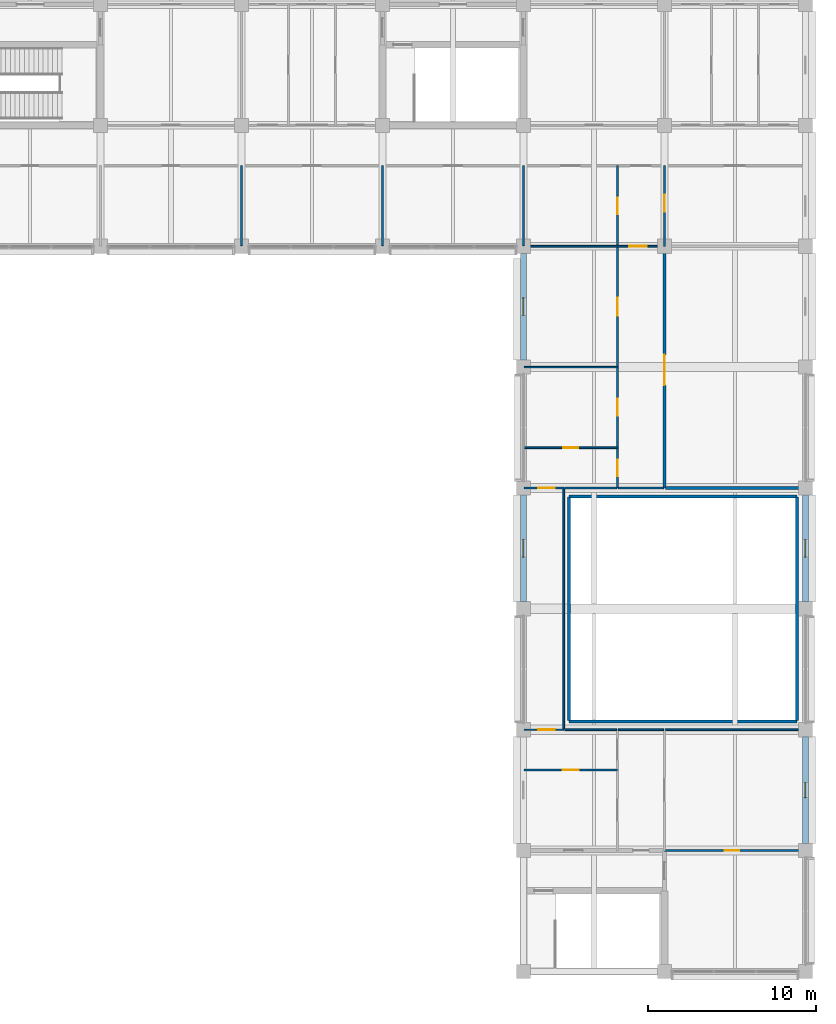
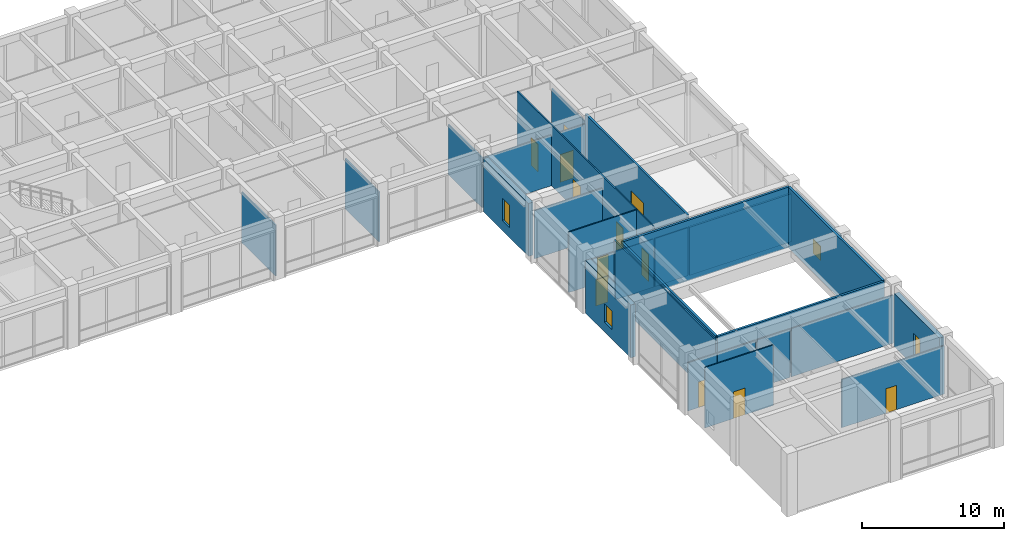
# One storey, part 46 of 58: 28 walls, 12 doors, 4 windows, 16 openings.
"""IFC4 building model written with IfcOpenShell, lengths in metres."""

from ifc_helpers import new_model, si_unit, direction, frame, frame_2d, origin, place, context, subcontext, project, spatial, rectangle, extrude, material, layer, layer_set, type_object, element, fill, save


model = new_model("IFC4")

# Units and contexts
model_context = context("Model", 3, precision=1e-05, world=origin(), true_north=direction((0.0, 1.0)))
body_context = subcontext(model_context, "Body", "Model", "MODEL_VIEW")
ifc_project = project(units=[si_unit("LENGTHUNIT", "METRE"), si_unit("AREAUNIT", "SQUARE_METRE"), si_unit("VOLUMEUNIT", "CUBIC_METRE"), si_unit("PLANEANGLEUNIT", "RADIAN"), si_unit("MASSUNIT", "GRAM", prefix="KILO")], contexts=[model_context])

# Site, building, storey
site_placement = place(None, origin())
site = spatial("IfcSite", under=ifc_project, at=site_placement, CompositionType="ELEMENT")
building_placement = place(site_placement, origin())
building = spatial("IfcBuilding", under=site, at=building_placement, Name="Chengyuan Square Courthouse", CompositionType="ELEMENT")
storey_placement = place(building_placement, frame((0.0, 0.0, 16.199951171875)))
storey = spatial("IfcBuildingStorey", under=building, at=storey_placement, Name="L04", CompositionType="ELEMENT", Elevation=16.199951171875)

# Wall, opening, window
ifc_material_1 = material(Name="Concrete C40", Category="concrete")
ifc_layer_1 = layer(ifc_material_1, 0.3798828125)
ifc_layer_set_1 = layer_set([ifc_layer_1], Name="Concrete C40")
wall_type_1 = type_object("IfcWallType", Name="WL-EW1", PredefinedType="STANDARD", material=ifc_layer_set_1)
wall_1_placement = place(storey_placement, frame((151.199951171875, 58.02001953125, 0.0), z_axis=(0.0, 0.0, 1.0), x_axis=(0.0, 1.0, 0.0)))
wall_1 = element("IfcWall", 1, at=wall_1_placement, inside=storey, type_object=wall_type_1, Name="Exterior Wall WL-L04-E329", PredefinedType="STANDARD", context=body_context, shape_type="SweptSolid", body=[
    extrude(rectangle(XDim=6.35986328125, YDim=0.3798828125, at=frame_2d((3.179931640625, 0.0))), origin(), (0.0, 0.0, 1.0), 4.550048828125),
])
opening_1_placement = place(wall_1_placement, frame((2.655029296875, 0.0, 0.85009765625)))
opening_1 = element("IfcOpeningElement", 2, at=opening_1_placement, cuts=wall_1, Name="Opening WN-101", PredefinedType="OPENING", context=body_context, shape_type="SweptSolid", body=[
    extrude(rectangle(XDim=1.050048828125, YDim=1.56005859375, at=frame_2d((0.52490234375, 0.780029296875))), frame((0.0, 0.201904296875, 0.0), z_axis=(0.0, -1.0, 0.0), x_axis=(1.0, 0.0, 0.0)), (0.0, 0.0, 1.0), 0.40380859375),
])
ifc_material_2 = material(Name="Thermally Broken Aluminium Triple Low-E Window", Category="aluminium")
window_type_1 = type_object("IfcWindowType", Name="WT-09", PartitioningType="SINGLE_PANEL", PredefinedType="WINDOW", material=ifc_material_2)
window_1_placement = place(opening_1_placement, origin())
window_1 = element("IfcWindow", 3, at=window_1_placement, inside=storey, type_object=window_type_1, Name="Facade Window WN-101", OverallHeight=1.56005859375, OverallWidth=1.050048828125, PartitioningType="SINGLE_PANEL", PredefinedType="WINDOW", context=body_context, shape_type="SweptSolid", body=[
    extrude(rectangle(XDim=1.050048828125, YDim=1.56005859375, at=frame_2d((0.52490234375, 0.780029296875))), frame((0.0, 0.030029296875, 0.0), z_axis=(0.0, -1.0, 0.0), x_axis=(1.0, 0.0, 0.0)), (0.0, 0.0, 1.0), 0.06005859375),
])
fill(opening_1, window_1)

wall_2_placement = place(storey_placement, frame((151.199951171875, 72.419921875, 0.0), z_axis=(0.0, 0.0, 1.0), x_axis=(0.0, 1.0, 0.0)))
wall_2 = element("IfcWall", 4, at=wall_2_placement, inside=storey, type_object=wall_type_1, Name="Exterior Wall WL-L04-E330", PredefinedType="STANDARD", context=body_context, shape_type="SweptSolid", body=[
    extrude(rectangle(XDim=6.360107421875, YDim=0.3798828125, at=frame_2d((3.18017578125, 0.0))), origin(), (0.0, 0.0, 1.0), 4.550048828125),
])
opening_2_placement = place(wall_2_placement, frame((2.655029296875, 0.0, 0.85009765625)))
opening_2 = element("IfcOpeningElement", 5, at=opening_2_placement, cuts=wall_2, Name="Opening WN-102", PredefinedType="OPENING", context=body_context, shape_type="SweptSolid", body=[
    extrude(rectangle(XDim=1.050048828125, YDim=1.919921875, at=frame_2d((0.52490234375, 0.9599609375))), frame((0.0, 0.201904296875, 0.0), z_axis=(0.0, -1.0, 0.0), x_axis=(1.0, 0.0, 0.0)), (0.0, 0.0, 1.0), 0.40380859375),
])
window_type_2 = type_object("IfcWindowType", Name="WT-11", PartitioningType="SINGLE_PANEL", PredefinedType="WINDOW", material=ifc_material_2)
window_2_placement = place(opening_2_placement, origin())
window_2 = element("IfcWindow", 6, at=window_2_placement, inside=storey, type_object=window_type_2, Name="Facade Window WN-102", OverallHeight=1.919921875, OverallWidth=1.050048828125, PartitioningType="SINGLE_PANEL", PredefinedType="WINDOW", context=body_context, shape_type="SweptSolid", body=[
    extrude(rectangle(XDim=1.050048828125, YDim=1.919921875, at=frame_2d((0.52490234375, 0.9599609375))), frame((0.0, 0.030029296875, 0.0), z_axis=(0.0, -1.0, 0.0), x_axis=(1.0, 0.0, 0.0)), (0.0, 0.0, 1.0), 0.06005859375),
])
fill(opening_2, window_2)

wall_3_placement = place(storey_placement, frame((168.0, 43.6201171875, 0.0), z_axis=(0.0, 0.0, 1.0), x_axis=(0.0, 1.0, 0.0)))
wall_3 = element("IfcWall", 7, at=wall_3_placement, inside=storey, type_object=wall_type_1, Name="Exterior Wall WL-L04-E332", PredefinedType="STANDARD", context=body_context, shape_type="SweptSolid", body=[
    extrude(rectangle(XDim=6.35986328125, YDim=0.3798828125, at=frame_2d((3.179931640625, 0.0))), origin(), (0.0, 0.0, 1.0), 4.550048828125),
])
opening_3_placement = place(wall_3_placement, frame((2.72998046875, 0.0, 0.85009765625)))
opening_3 = element("IfcOpeningElement", 8, at=opening_3_placement, cuts=wall_3, Name="Opening WN-104", PredefinedType="OPENING", context=body_context, shape_type="SweptSolid", body=[
    extrude(rectangle(XDim=0.89990234375, YDim=1.919921875, at=frame_2d((0.449951171875, 0.9599609375))), frame((0.0, 0.201904296875, 0.0), z_axis=(0.0, -1.0, 0.0), x_axis=(1.0, 0.0, 0.0)), (0.0, 0.0, 1.0), 0.40380859375),
])
window_type_3 = type_object("IfcWindowType", Name="WT-05", PartitioningType="SINGLE_PANEL", PredefinedType="WINDOW", material=ifc_material_2)
window_3_placement = place(opening_3_placement, origin())
window_3 = element("IfcWindow", 9, at=window_3_placement, inside=storey, type_object=window_type_3, Name="Facade Window WN-104", OverallHeight=1.919921875, OverallWidth=0.89990234375, PartitioningType="SINGLE_PANEL", PredefinedType="WINDOW", context=body_context, shape_type="SweptSolid", body=[
    extrude(rectangle(XDim=0.89990234375, YDim=1.919921875, at=frame_2d((0.449951171875, 0.9599609375))), frame((0.0, 0.030029296875, 0.0), z_axis=(0.0, -1.0, 0.0), x_axis=(1.0, 0.0, 0.0)), (0.0, 0.0, 1.0), 0.06005859375),
])
fill(opening_3, window_3)

wall_4_placement = place(storey_placement, frame((168.0, 58.02001953125, 0.0), z_axis=(0.0, 0.0, 1.0), x_axis=(0.0, 1.0, 0.0)))
wall_4 = element("IfcWall", 10, at=wall_4_placement, inside=storey, type_object=wall_type_1, Name="Exterior Wall WL-L04-E333", PredefinedType="STANDARD", context=body_context, shape_type="SweptSolid", body=[
    extrude(rectangle(XDim=6.35986328125, YDim=0.3798828125, at=frame_2d((3.179931640625, 0.0))), origin(), (0.0, 0.0, 1.0), 4.550048828125),
])
opening_4_placement = place(wall_4_placement, frame((2.655029296875, 0.0, 0.85009765625)))
opening_4 = element("IfcOpeningElement", 11, at=opening_4_placement, cuts=wall_4, Name="Opening WN-105", PredefinedType="OPENING", context=body_context, shape_type="SweptSolid", body=[
    extrude(rectangle(XDim=1.050048828125, YDim=1.199951171875, at=frame_2d((0.52490234375, 0.60009765625))), frame((0.0, 0.201904296875, 0.0), z_axis=(0.0, -1.0, 0.0), x_axis=(1.0, 0.0, 0.0)), (0.0, 0.0, 1.0), 0.40380859375),
])
window_type_4 = type_object("IfcWindowType", Name="WT-07", PartitioningType="SINGLE_PANEL", PredefinedType="WINDOW", material=ifc_material_2)
window_4_placement = place(opening_4_placement, origin())
window_4 = element("IfcWindow", 12, at=window_4_placement, inside=storey, type_object=window_type_4, Name="Facade Window WN-105", OverallHeight=1.199951171875, OverallWidth=1.050048828125, PartitioningType="SINGLE_PANEL", PredefinedType="WINDOW", context=body_context, shape_type="SweptSolid", body=[
    extrude(rectangle(XDim=1.050048828125, YDim=1.199951171875, at=frame_2d((0.52490234375, 0.60009765625))), frame((0.0, 0.030029296875, 0.0), z_axis=(0.0, -1.0, 0.0), x_axis=(1.0, 0.0, 0.0)), (0.0, 0.0, 1.0), 0.06005859375),
])
fill(opening_4, window_4)

# Walls
ifc_material_3 = material(Name="Double-Stud Acoustic Gypsum Courtroom Partition")
ifc_layer_2 = layer(ifc_material_3, 0.179931640625)
ifc_layer_set_2 = layer_set([ifc_layer_2], Name="Double-Stud Acoustic Gypsum Courtroom Partition")
wall_type_2 = type_object("IfcWallType", Name="WL-PT1", PredefinedType="STANDARD", material=ifc_layer_set_2)
for number, where, z_axis, x_axis, name in (
    (13, (153.89990234375, 50.89990234375, 0.0), (0.0, 0.0, 1.0), (1.0, 0.0, 0.0), "Interior Wall WL-L04-I1754"),
    (14, (153.89990234375, 64.300048828125, 0.0), (0.0, 0.0, 1.0), (1.0, 0.0, 0.0), "Interior Wall WL-L04-I1756"),
):
    element("IfcWall", number, at=place(storey_placement, frame(where, z_axis=z_axis, x_axis=x_axis)), inside=storey, type_object=wall_type_2, Name=name, PredefinedType="STANDARD", context=body_context, shape_type="SweptSolid", body=[
        extrude(rectangle(XDim=13.60009765625, YDim=0.179931640625, at=frame_2d((6.800048828125, 0.0))), origin(), (0.0, 0.0, 1.0), 5.199951171875),
    ])
for number, where, z_axis, x_axis, name in (
    (15, (153.89990234375, 50.949951171875, 0.0), (0.0, 0.0, 1.0), (0.0, 1.0, 0.0), "Interior Wall WL-L04-I2086"),
    (16, (167.5, 50.949951171875, 0.0), (0.0, 0.0, 1.0), (0.0, 1.0, 0.0), "Interior Wall WL-L04-I2101"),
):
    element("IfcWall", number, at=place(storey_placement, frame(where, z_axis=z_axis, x_axis=x_axis)), inside=storey, type_object=wall_type_2, Name=name, PredefinedType="STANDARD", context=body_context, shape_type="SweptSolid", body=[
        extrude(rectangle(XDim=13.300048828125, YDim=0.179931640625, at=frame_2d((6.64990234375, 0.0))), origin(), (0.0, 0.0, 1.0), 5.199951171875),
    ])
ifc_material_4 = material(Name="Acoustic Timber-Lined Gypsum Partition", Category="wood")
ifc_layer_3 = layer(ifc_material_4, 0.159912109375)
ifc_layer_set_3 = layer_set([ifc_layer_3], Name="Acoustic Timber-Lined Gypsum Partition")
wall_type_3 = type_object("IfcWallType", Name="WL-PT2", PredefinedType="STANDARD", material=ifc_layer_set_3)
wall_5_placement = place(storey_placement, frame((159.64990234375, 64.800048828125, 0.0), z_axis=(0.0, 0.0, 1.0), x_axis=(1.0, 0.0, 0.0)))
element("IfcWall", 17, at=wall_5_placement, inside=storey, type_object=wall_type_3, Name="Interior Wall WL-L04-I1764", PredefinedType="STANDARD", context=body_context, shape_type="SweptSolid", body=[
    extrude(rectangle(XDim=8.300048828125, YDim=0.159912109375, at=frame_2d((4.14990234375, 0.0))), origin(), (0.0, 0.0, 1.0), 4.150146484375),
])

# Wall, opening, door
wall_6_placement = place(storey_placement, frame((159.60009765625, 64.800048828125, 0.0), z_axis=(0.0, 0.0, 1.0), x_axis=(0.0, 1.0, 0.0)))
wall_6 = element("IfcWall", 18, at=wall_6_placement, inside=storey, type_object=wall_type_3, Name="Interior Wall WL-L04-I2092", PredefinedType="STANDARD", context=body_context, shape_type="SweptSolid", body=[
    extrude(rectangle(XDim=14.39990234375, YDim=0.159912109375, at=frame_2d((7.199951171875, 0.0))), origin(), (0.0, 0.0, 1.0), 5.199951171875),
])
opening_5_placement = place(wall_6_placement, frame((6.12744140625, 0.0, 0.0)))
opening_5 = element("IfcOpeningElement", 19, at=opening_5_placement, cuts=wall_6, Name="Opening DR-1916", PredefinedType="OPENING", context=body_context, shape_type="SweptSolid", body=[
    extrude(rectangle(XDim=1.800048828125, YDim=2.5, at=frame_2d((0.89990234375, 1.25))), frame((0.0, 0.092041015625, 0.0), z_axis=(0.0, -1.0, 0.0), x_axis=(1.0, 0.0, 0.0)), (0.0, 0.0, 1.0), 0.183837890625),
])
ifc_material_5 = material(Name="Acoustic Larch Veneer Double Door")
door_type_1 = type_object("IfcDoorType", Name="DT-21", OperationType="DOUBLE_DOOR_SINGLE_SWING", PredefinedType="DOOR", material=ifc_material_5)
door_1_placement = place(opening_5_placement, frame((1.800048828125, 0.0, 0.0), z_axis=(0.0, 0.0, 1.0), x_axis=(-1.0, 0.0, 0.0)))
door_1 = element("IfcDoor", 20, at=door_1_placement, inside=storey, type_object=door_type_1, Name="Interior Door DR-1916", OperationType="DOUBLE_DOOR_SINGLE_SWING", OverallHeight=2.5, OverallWidth=1.800048828125, PredefinedType="DOOR", context=body_context, shape_type="SweptSolid", body=[
    extrude(rectangle(XDim=1.800048828125, YDim=2.5, at=frame_2d((0.89990234375, 1.25))), frame((0.0, 0.02490234375, 0.0), z_axis=(0.0, -1.0, 0.0), x_axis=(1.0, 0.0, 0.0)), (0.0, 0.0, 1.0), 0.050048828125),
])
fill(opening_5, door_1)

ifc_material_6 = material(Name="Gypsum Plasterboard Acoustic Stud Partition")
ifc_layer_4 = layer(ifc_material_6, 0.10009765625)
ifc_layer_set_4 = layer_set([ifc_layer_4], Name="Gypsum Plasterboard Acoustic Stud Partition")
wall_type_4 = type_object("IfcWallType", Name="WL-PT6", PredefinedType="STANDARD", material=ifc_layer_set_4)
wall_7_placement = place(storey_placement, frame((159.60009765625, 43.199951171875, 0.0), z_axis=(0.0, 0.0, 1.0), x_axis=(1.0, 0.0, 0.0)))
wall_7 = element("IfcWall", 21, at=wall_7_placement, inside=storey, type_object=wall_type_4, Name="Interior Wall WL-L04-I1742", PredefinedType="STANDARD", context=body_context, shape_type="SweptSolid", body=[
    extrude(rectangle(XDim=8.35986328125, YDim=0.10009765625, at=frame_2d((4.179931640625, 0.0))), origin(), (0.0, 0.0, 1.0), 4.150146484375),
])
opening_6_placement = place(wall_7_placement, frame((3.597412109375, 0.0, 0.0)))
opening_6 = element("IfcOpeningElement", 22, at=opening_6_placement, cuts=wall_7, Name="Opening DR-1918", PredefinedType="OPENING", context=body_context, shape_type="SweptSolid", body=[
    extrude(rectangle(XDim=0.860107421875, YDim=2.10009765625, at=frame_2d((0.43017578125, 1.050048828125))), frame((0.0, 0.06201171875, 0.0), z_axis=(0.0, -1.0, 0.0), x_axis=(1.0, 0.0, 0.0)), (0.0, 0.0, 1.0), 0.1240234375),
])
ifc_material_7 = material(Name="Acoustic Solid-Core Timber Door", Category="wood")
door_type_2 = type_object("IfcDoorType", Name="DT-28", OperationType="NOTDEFINED", PredefinedType="DOOR", material=ifc_material_7)
door_2_placement = place(opening_6_placement, origin())
door_2 = element("IfcDoor", 23, at=door_2_placement, inside=storey, type_object=door_type_2, Name="Interior Door DR-1918", OperationType="SINGLE_SWING_LEFT", OverallHeight=2.10009765625, OverallWidth=0.860107421875, PredefinedType="DOOR", context=body_context, shape_type="SweptSolid", body=[
    extrude(rectangle(XDim=0.860107421875, YDim=2.10009765625, at=frame_2d((0.43017578125, 1.050048828125))), frame((0.0, 0.02490234375, 0.0), z_axis=(0.0, -1.0, 0.0), x_axis=(1.0, 0.0, 0.0)), (0.0, 0.0, 1.0), 0.050048828125),
])
fill(opening_6, door_2)

wall_8_placement = place(storey_placement, frame((151.239990234375, 48.0, 0.0), z_axis=(0.0, 0.0, 1.0), x_axis=(1.0, 0.0, 0.0)))
wall_8 = element("IfcWall", 24, at=wall_8_placement, inside=storey, type_object=wall_type_4, Name="Interior Wall WL-L04-I1744", PredefinedType="STANDARD", context=body_context, shape_type="SweptSolid", body=[
    extrude(rectangle(XDim=5.56005859375, YDim=0.10009765625, at=frame_2d((2.780029296875, 0.0))), origin(), (0.0, 0.0, 1.0), 5.199951171875),
])
opening_7_placement = place(wall_8_placement, frame((2.31005859375, 0.0, 0.0)))
opening_7 = element("IfcOpeningElement", 25, at=opening_7_placement, cuts=wall_8, Name="Opening DR-1912", PredefinedType="OPENING", context=body_context, shape_type="SweptSolid", body=[
    extrude(rectangle(XDim=0.93994140625, YDim=2.300048828125, at=frame_2d((0.469970703125, 1.14990234375))), frame((0.0, 0.06201171875, 0.0), z_axis=(0.0, -1.0, 0.0), x_axis=(1.0, 0.0, 0.0)), (0.0, 0.0, 1.0), 0.1240234375),
])
door_type_3 = type_object("IfcDoorType", Name="DT-39", OperationType="NOTDEFINED", PredefinedType="DOOR", material=ifc_material_7)
door_3_placement = place(opening_7_placement, origin())
door_3 = element("IfcDoor", 26, at=door_3_placement, inside=storey, type_object=door_type_3, Name="Interior Door DR-1912", OperationType="SINGLE_SWING_RIGHT", OverallHeight=2.300048828125, OverallWidth=0.93994140625, PredefinedType="DOOR", context=body_context, shape_type="SweptSolid", body=[
    extrude(rectangle(XDim=0.93994140625, YDim=2.300048828125, at=frame_2d((0.469970703125, 1.14990234375))), frame((0.0, 0.02490234375, 0.0), z_axis=(0.0, -1.0, 0.0), x_axis=(1.0, 0.0, 0.0)), (0.0, 0.0, 1.0), 0.050048828125),
])
fill(opening_7, door_3)

wall_9_placement = place(storey_placement, frame((151.239990234375, 50.39990234375, 0.0), z_axis=(0.0, 0.0, 1.0), x_axis=(1.0, 0.0, 0.0)))
wall_9 = element("IfcWall", 27, at=wall_9_placement, inside=storey, type_object=wall_type_4, Name="Interior Wall WL-L04-I1749", PredefinedType="STANDARD", context=body_context, shape_type="SweptSolid", body=[
    extrude(rectangle(XDim=2.360107421875, YDim=0.10009765625, at=frame_2d((1.18017578125, 0.0))), origin(), (0.0, 0.0, 1.0), 4.150146484375),
])
opening_8_placement = place(wall_9_placement, frame((0.8525390625, 0.0, 0.0)))
opening_8 = element("IfcOpeningElement", 28, at=opening_8_placement, cuts=wall_9, Name="Opening DR-1665", PredefinedType="OPENING", context=body_context, shape_type="SweptSolid", body=[
    extrude(rectangle(XDim=0.9599609375, YDim=2.199951171875, at=frame_2d((0.47998046875, 1.10009765625))), frame((0.0, 0.06201171875, 0.0), z_axis=(0.0, -1.0, 0.0), x_axis=(1.0, 0.0, 0.0)), (0.0, 0.0, 1.0), 0.1240234375),
])
door_type_4 = type_object("IfcDoorType", Name="DT-30", OperationType="NOTDEFINED", PredefinedType="DOOR", material=ifc_material_7)
door_4_placement = place(opening_8_placement, origin())
door_4 = element("IfcDoor", 29, at=door_4_placement, inside=storey, type_object=door_type_4, Name="Interior Door DR-1665", OperationType="SINGLE_SWING_LEFT", OverallHeight=2.199951171875, OverallWidth=0.9599609375, PredefinedType="DOOR", context=body_context, shape_type="SweptSolid", body=[
    extrude(rectangle(XDim=0.9599609375, YDim=2.199951171875, at=frame_2d((0.47998046875, 1.10009765625))), frame((0.0, 0.02490234375, 0.0), z_axis=(0.0, -1.0, 0.0), x_axis=(1.0, 0.0, 0.0)), (0.0, 0.0, 1.0), 0.050048828125),
])
fill(opening_8, door_4)

# Walls
wall_10_placement = place(storey_placement, frame((153.64990234375, 50.39990234375, 0.0), z_axis=(0.0, 0.0, 1.0), x_axis=(1.0, 0.0, 0.0)))
element("IfcWall", 30, at=wall_10_placement, inside=storey, type_object=wall_type_4, Name="Interior Wall WL-L04-I1750", PredefinedType="STANDARD", context=body_context, shape_type="SweptSolid", body=[
    extrude(rectangle(XDim=3.10009765625, YDim=0.10009765625, at=frame_2d((1.550048828125, 0.0))), origin(), (0.0, 0.0, 1.0), 4.150146484375),
])
wall_11_placement = place(storey_placement, frame((156.85009765625, 50.39990234375, 0.0), z_axis=(0.0, 0.0, 1.0), x_axis=(1.0, 0.0, 0.0)))
element("IfcWall", 31, at=wall_11_placement, inside=storey, type_object=wall_type_4, Name="Interior Wall WL-L04-I1751", PredefinedType="STANDARD", context=body_context, shape_type="SweptSolid", body=[
    extrude(rectangle(XDim=2.699951171875, YDim=0.10009765625, at=frame_2d((1.35009765625, 0.0))), origin(), (0.0, 0.0, 1.0), 4.150146484375),
])
wall_12_placement = place(storey_placement, frame((159.64990234375, 50.39990234375, 0.0), z_axis=(0.0, 0.0, 1.0), x_axis=(1.0, 0.0, 0.0)))
element("IfcWall", 32, at=wall_12_placement, inside=storey, type_object=wall_type_4, Name="Interior Wall WL-L04-I1752", PredefinedType="STANDARD", context=body_context, shape_type="SweptSolid", body=[
    extrude(rectangle(XDim=8.300048828125, YDim=0.10009765625, at=frame_2d((4.14990234375, 0.0))), origin(), (0.0, 0.0, 1.0), 4.150146484375),
])

# Wall, opening, door
wall_13_placement = place(storey_placement, frame((151.239990234375, 64.800048828125, 0.0), z_axis=(0.0, 0.0, 1.0), x_axis=(1.0, 0.0, 0.0)))
wall_13 = element("IfcWall", 33, at=wall_13_placement, inside=storey, type_object=wall_type_4, Name="Interior Wall WL-L04-I1761", PredefinedType="STANDARD", context=body_context, shape_type="SweptSolid", body=[
    extrude(rectangle(XDim=2.360107421875, YDim=0.10009765625, at=frame_2d((1.18017578125, 0.0))), origin(), (0.0, 0.0, 1.0), 4.150146484375),
])
opening_9_placement = place(wall_13_placement, frame((0.83251953125, 0.0, 0.0)))
opening_9 = element("IfcOpeningElement", 34, at=opening_9_placement, cuts=wall_13, Name="Opening DR-1666", PredefinedType="OPENING", context=body_context, shape_type="SweptSolid", body=[
    extrude(rectangle(XDim=1.0, YDim=2.25, at=frame_2d((0.5, 1.125))), frame((0.0, 0.06201171875, 0.0), z_axis=(0.0, -1.0, 0.0), x_axis=(1.0, 0.0, 0.0)), (0.0, 0.0, 1.0), 0.1240234375),
])
door_type_5 = type_object("IfcDoorType", Name="DT-31", OperationType="NOTDEFINED", PredefinedType="DOOR", material=ifc_material_7)
door_5_placement = place(opening_9_placement, origin())
door_5 = element("IfcDoor", 35, at=door_5_placement, inside=storey, type_object=door_type_5, Name="Interior Door DR-1666", OperationType="SINGLE_SWING_RIGHT", OverallHeight=2.25, OverallWidth=1.0, PredefinedType="DOOR", context=body_context, shape_type="SweptSolid", body=[
    extrude(rectangle(XDim=1.0, YDim=2.25, at=frame_2d((0.5, 1.125))), frame((0.0, 0.02490234375, 0.0), z_axis=(0.0, -1.0, 0.0), x_axis=(1.0, 0.0, 0.0)), (0.0, 0.0, 1.0), 0.050048828125),
])
fill(opening_9, door_5)

# Walls
wall_14_placement = place(storey_placement, frame((153.64990234375, 64.800048828125, 0.0), z_axis=(0.0, 0.0, 1.0), x_axis=(1.0, 0.0, 0.0)))
element("IfcWall", 36, at=wall_14_placement, inside=storey, type_object=wall_type_4, Name="Interior Wall WL-L04-I1762", PredefinedType="STANDARD", context=body_context, shape_type="SweptSolid", body=[
    extrude(rectangle(XDim=3.10009765625, YDim=0.10009765625, at=frame_2d((1.550048828125, 0.0))), origin(), (0.0, 0.0, 1.0), 4.150146484375),
])
wall_15_placement = place(storey_placement, frame((156.85009765625, 64.800048828125, 0.0), z_axis=(0.0, 0.0, 1.0), x_axis=(1.0, 0.0, 0.0)))
element("IfcWall", 37, at=wall_15_placement, inside=storey, type_object=wall_type_4, Name="Interior Wall WL-L04-I1763", PredefinedType="STANDARD", context=body_context, shape_type="SweptSolid", body=[
    extrude(rectangle(XDim=2.699951171875, YDim=0.10009765625, at=frame_2d((1.35009765625, 0.0))), origin(), (0.0, 0.0, 1.0), 4.150146484375),
])

# Wall, opening, door
wall_16_placement = place(storey_placement, frame((151.239990234375, 67.199951171875, 0.0), z_axis=(0.0, 0.0, 1.0), x_axis=(1.0, 0.0, 0.0)))
wall_16 = element("IfcWall", 38, at=wall_16_placement, inside=storey, type_object=wall_type_4, Name="Interior Wall WL-L04-I1766", PredefinedType="STANDARD", context=body_context, shape_type="SweptSolid", body=[
    extrude(rectangle(XDim=5.56005859375, YDim=0.10009765625, at=frame_2d((2.780029296875, 0.0))), origin(), (0.0, 0.0, 1.0), 5.199951171875),
])
opening_10_placement = place(wall_16_placement, frame((2.330078125, 0.0, 0.0)))
opening_10 = element("IfcOpeningElement", 39, at=opening_10_placement, cuts=wall_16, Name="Opening DR-1917", PredefinedType="OPENING", context=body_context, shape_type="SweptSolid", body=[
    extrude(rectangle(XDim=0.89990234375, YDim=2.14990234375, at=frame_2d((0.449951171875, 1.074951171875))), frame((0.0, 0.06201171875, 0.0), z_axis=(0.0, -1.0, 0.0), x_axis=(1.0, 0.0, 0.0)), (0.0, 0.0, 1.0), 0.1240234375),
])
door_type_6 = type_object("IfcDoorType", Name="DT-27", OperationType="NOTDEFINED", PredefinedType="DOOR", material=ifc_material_7)
door_6_placement = place(opening_10_placement, origin())
door_6 = element("IfcDoor", 40, at=door_6_placement, inside=storey, type_object=door_type_6, Name="Interior Door DR-1917", OperationType="SINGLE_SWING_RIGHT", OverallHeight=2.14990234375, OverallWidth=0.89990234375, PredefinedType="DOOR", context=body_context, shape_type="SweptSolid", body=[
    extrude(rectangle(XDim=0.89990234375, YDim=2.14990234375, at=frame_2d((0.449951171875, 1.074951171875))), frame((0.0, 0.02490234375, 0.0), z_axis=(0.0, -1.0, 0.0), x_axis=(1.0, 0.0, 0.0)), (0.0, 0.0, 1.0), 0.050048828125),
])
fill(opening_10, door_6)

# Wall
wall_17_placement = place(storey_placement, frame((151.239990234375, 72.0, 0.0), z_axis=(0.0, 0.0, 1.0), x_axis=(1.0, 0.0, 0.0)))
element("IfcWall", 41, at=wall_17_placement, inside=storey, type_object=wall_type_4, Name="Interior Wall WL-L04-I1768", PredefinedType="STANDARD", context=body_context, shape_type="SweptSolid", body=[
    extrude(rectangle(XDim=5.56005859375, YDim=0.10009765625, at=frame_2d((2.780029296875, 0.0))), origin(), (0.0, 0.0, 1.0), 4.150146484375),
])

# Wall, opening, door
wall_18_placement = place(storey_placement, frame((151.239990234375, 79.199951171875, 0.0), z_axis=(0.0, 0.0, 1.0), x_axis=(1.0, 0.0, 0.0)))
wall_18 = element("IfcWall", 42, at=wall_18_placement, inside=storey, type_object=wall_type_4, Name="Interior Wall WL-L04-I1771", PredefinedType="STANDARD", context=body_context, shape_type="SweptSolid", body=[
    extrude(rectangle(XDim=8.360107421875, YDim=0.10009765625, at=frame_2d((4.18017578125, 0.0))), origin(), (0.0, 0.0, 1.0), 4.35009765625),
])
opening_11_placement = place(wall_18_placement, frame((6.257568359375, 0.0, 0.0)))
opening_11 = element("IfcOpeningElement", 43, at=opening_11_placement, cuts=wall_18, Name="Opening DR-1898", PredefinedType="OPENING", context=body_context, shape_type="SweptSolid", body=[
    extrude(rectangle(XDim=1.06005859375, YDim=2.39990234375, at=frame_2d((0.530029296875, 1.199951171875))), frame((0.0, 0.06201171875, 0.0), z_axis=(0.0, -1.0, 0.0), x_axis=(1.0, 0.0, 0.0)), (0.0, 0.0, 1.0), 0.1240234375),
])
door_type_7 = type_object("IfcDoorType", Name="DT-42", OperationType="NOTDEFINED", PredefinedType="DOOR", material=ifc_material_7)
door_7_placement = place(opening_11_placement, origin())
door_7 = element("IfcDoor", 44, at=door_7_placement, inside=storey, type_object=door_type_7, Name="Interior Door DR-1898", OperationType="SINGLE_SWING_LEFT", OverallHeight=2.39990234375, OverallWidth=1.06005859375, PredefinedType="DOOR", context=body_context, shape_type="SweptSolid", body=[
    extrude(rectangle(XDim=1.06005859375, YDim=2.39990234375, at=frame_2d((0.530029296875, 1.199951171875))), frame((0.0, 0.02490234375, 0.0), z_axis=(0.0, -1.0, 0.0), x_axis=(1.0, 0.0, 0.0)), (0.0, 0.0, 1.0), 0.050048828125),
])
fill(opening_11, door_7)

# Walls
wall_19_placement = place(storey_placement, frame((134.39990234375, 79.239990234375, 0.0), z_axis=(0.0, 0.0, 1.0), x_axis=(0.0, 1.0, 0.0)))
element("IfcWall", 45, at=wall_19_placement, inside=storey, type_object=wall_type_4, Name="Interior Wall WL-L04-I2067", PredefinedType="STANDARD", context=body_context, shape_type="SweptSolid", body=[
    extrude(rectangle(XDim=4.760009765625, YDim=0.10009765625, at=frame_2d((2.3798828125, 0.0))), origin(), (0.0, 0.0, 1.0), 4.3701171875),
])
for number, where, z_axis, x_axis, name in (
    (46, (142.800048828125, 79.239990234375, 0.0), (0.0, 0.0, 1.0), (0.0, 1.0, 0.0), "Interior Wall WL-L04-I2075"),
    (47, (151.199951171875, 79.239990234375, 0.0), (0.0, 0.0, 1.0), (0.0, 1.0, 0.0), "Interior Wall WL-L04-I2080"),
):
    element("IfcWall", number, at=place(storey_placement, frame(where, z_axis=z_axis, x_axis=x_axis)), inside=storey, type_object=wall_type_4, Name=name, PredefinedType="STANDARD", context=body_context, shape_type="SweptSolid", body=[
        extrude(rectangle(XDim=4.760009765625, YDim=0.10009765625, at=frame_2d((2.3798828125, 0.0))), origin(), (0.0, 0.0, 1.0), 4.300048828125),
    ])
wall_20_placement = place(storey_placement, frame((153.60009765625, 50.449951171875, 0.0), z_axis=(0.0, 0.0, 1.0), x_axis=(0.0, 1.0, 0.0)))
element("IfcWall", 48, at=wall_20_placement, inside=storey, type_object=wall_type_4, Name="Interior Wall WL-L04-I2085", PredefinedType="STANDARD", context=body_context, shape_type="SweptSolid", body=[
    extrude(rectangle(XDim=14.300048828125, YDim=0.10009765625, at=frame_2d((7.14990234375, 0.0))), origin(), (0.0, 0.0, 1.0), 5.199951171875),
])

# Wall, openings, doors
wall_21_placement = place(storey_placement, frame((156.800048828125, 64.800048828125, 0.0), z_axis=(0.0, 0.0, 1.0), x_axis=(0.0, 1.0, 0.0)))
wall_21 = element("IfcWall", 49, at=wall_21_placement, inside=storey, type_object=wall_type_4, Name="Interior Wall WL-L04-I2088", PredefinedType="STANDARD", context=body_context, shape_type="SweptSolid", body=[
    extrude(rectangle(XDim=19.199951171875, YDim=0.10009765625, at=frame_2d((9.60009765625, 0.0))), origin(), (0.0, 0.0, 1.0), 5.199951171875),
])
opening_12_placement = place(wall_21_placement, frame((16.31005859375, 0.0, 0.0)))
opening_12 = element("IfcOpeningElement", 50, at=opening_12_placement, cuts=wall_21, Name="Opening DR-1896", PredefinedType="OPENING", context=body_context, shape_type="SweptSolid", body=[
    extrude(rectangle(XDim=0.97998046875, YDim=2.35009765625, at=frame_2d((0.489990234375, 1.175048828125))), frame((0.0, 0.06201171875, 0.0), z_axis=(0.0, -1.0, 0.0), x_axis=(1.0, 0.0, 0.0)), (0.0, 0.0, 1.0), 0.1240234375),
])
opening_13_placement = place(wall_21_placement, frame((0.7099609375, 0.0, 0.0)))
opening_13 = element("IfcOpeningElement", 51, at=opening_13_placement, cuts=wall_21, Name="Opening DR-1913", PredefinedType="OPENING", context=body_context, shape_type="SweptSolid", body=[
    extrude(rectangle(XDim=0.97998046875, YDim=2.35009765625, at=frame_2d((0.489990234375, 1.175048828125))), frame((0.0, 0.06201171875, 0.0), z_axis=(0.0, -1.0, 0.0), x_axis=(1.0, 0.0, 0.0)), (0.0, 0.0, 1.0), 0.1240234375),
])
opening_14_placement = place(wall_21_placement, frame((4.2900390625, 0.0, 0.0)))
opening_14 = element("IfcOpeningElement", 52, at=opening_14_placement, cuts=wall_21, Name="Opening DR-1914", PredefinedType="OPENING", context=body_context, shape_type="SweptSolid", body=[
    extrude(rectangle(XDim=1.02001953125, YDim=2.39990234375, at=frame_2d((0.510009765625, 1.199951171875))), frame((0.0, 0.06201171875, 0.0), z_axis=(0.0, -1.0, 0.0), x_axis=(1.0, 0.0, 0.0)), (0.0, 0.0, 1.0), 0.1240234375),
])
opening_15_placement = place(wall_21_placement, frame((10.27001953125, 0.0, 0.0)))
opening_15 = element("IfcOpeningElement", 53, at=opening_15_placement, cuts=wall_21, Name="Opening DR-1915", PredefinedType="OPENING", context=body_context, shape_type="SweptSolid", body=[
    extrude(rectangle(XDim=1.06005859375, YDim=2.39990234375, at=frame_2d((0.530029296875, 1.199951171875))), frame((0.0, 0.06201171875, 0.0), z_axis=(0.0, -1.0, 0.0), x_axis=(1.0, 0.0, 0.0)), (0.0, 0.0, 1.0), 0.1240234375),
])
door_type_8 = type_object("IfcDoorType", Name="DT-40", OperationType="NOTDEFINED", PredefinedType="DOOR", material=ifc_material_7)
door_8_placement = place(opening_12_placement, origin())
door_8 = element("IfcDoor", 54, at=door_8_placement, inside=storey, type_object=door_type_8, Name="Interior Door DR-1896", OperationType="SINGLE_SWING_LEFT", OverallHeight=2.35009765625, OverallWidth=0.97998046875, PredefinedType="DOOR", context=body_context, shape_type="SweptSolid", body=[
    extrude(rectangle(XDim=0.97998046875, YDim=2.35009765625, at=frame_2d((0.489990234375, 1.175048828125))), frame((0.0, 0.02490234375, 0.0), z_axis=(0.0, -1.0, 0.0), x_axis=(1.0, 0.0, 0.0)), (0.0, 0.0, 1.0), 0.050048828125),
])
fill(opening_12, door_8)
door_9_placement = place(opening_13_placement, origin())
door_9 = element("IfcDoor", 55, at=door_9_placement, inside=storey, type_object=door_type_8, Name="Interior Door DR-1913", OperationType="SINGLE_SWING_LEFT", OverallHeight=2.35009765625, OverallWidth=0.97998046875, PredefinedType="DOOR", context=body_context, shape_type="SweptSolid", body=[
    extrude(rectangle(XDim=0.97998046875, YDim=2.35009765625, at=frame_2d((0.489990234375, 1.175048828125))), frame((0.0, 0.02490234375, 0.0), z_axis=(0.0, -1.0, 0.0), x_axis=(1.0, 0.0, 0.0)), (0.0, 0.0, 1.0), 0.050048828125),
])
fill(opening_13, door_9)
door_type_9 = type_object("IfcDoorType", Name="DT-41", OperationType="NOTDEFINED", PredefinedType="DOOR", material=ifc_material_7)
door_10_placement = place(opening_14_placement, origin())
door_10 = element("IfcDoor", 56, at=door_10_placement, inside=storey, type_object=door_type_9, Name="Interior Door DR-1914", OperationType="SINGLE_SWING_RIGHT", OverallHeight=2.39990234375, OverallWidth=1.02001953125, PredefinedType="DOOR", context=body_context, shape_type="SweptSolid", body=[
    extrude(rectangle(XDim=1.02001953125, YDim=2.39990234375, at=frame_2d((0.510009765625, 1.199951171875))), frame((0.0, 0.02490234375, 0.0), z_axis=(0.0, -1.0, 0.0), x_axis=(1.0, 0.0, 0.0)), (0.0, 0.0, 1.0), 0.050048828125),
])
fill(opening_14, door_10)
door_11_placement = place(opening_15_placement, origin())
door_11 = element("IfcDoor", 57, at=door_11_placement, inside=storey, type_object=door_type_7, Name="Interior Door DR-1915", OperationType="SINGLE_SWING_LEFT", OverallHeight=2.39990234375, OverallWidth=1.06005859375, PredefinedType="DOOR", context=body_context, shape_type="SweptSolid", body=[
    extrude(rectangle(XDim=1.06005859375, YDim=2.39990234375, at=frame_2d((0.530029296875, 1.199951171875))), frame((0.0, 0.02490234375, 0.0), z_axis=(0.0, -1.0, 0.0), x_axis=(1.0, 0.0, 0.0)), (0.0, 0.0, 1.0), 0.050048828125),
])
fill(opening_15, door_11)

# Wall, opening, door
wall_22_placement = place(storey_placement, frame((159.60009765625, 79.199951171875, 0.0), z_axis=(0.0, 0.0, 1.0), x_axis=(0.0, 1.0, 0.0)))
wall_22 = element("IfcWall", 58, at=wall_22_placement, inside=storey, type_object=wall_type_4, Name="Interior Wall WL-L04-I2093", PredefinedType="STANDARD", context=body_context, shape_type="SweptSolid", body=[
    extrude(rectangle(XDim=4.800048828125, YDim=0.10009765625, at=frame_2d((2.39990234375, 0.0))), origin(), (0.0, 0.0, 1.0), 4.449951171875),
])
opening_16_placement = place(wall_22_placement, frame((2.0625, 0.0, 0.0)))
opening_16 = element("IfcOpeningElement", 59, at=opening_16_placement, cuts=wall_22, Name="Opening DR-1897", PredefinedType="OPENING", context=body_context, shape_type="SweptSolid", body=[
    extrude(rectangle(XDim=1.02001953125, YDim=2.39990234375, at=frame_2d((0.510009765625, 1.199951171875))), frame((0.0, 0.06201171875, 0.0), z_axis=(0.0, -1.0, 0.0), x_axis=(1.0, 0.0, 0.0)), (0.0, 0.0, 1.0), 0.1240234375),
])
door_12_placement = place(opening_16_placement, origin())
door_12 = element("IfcDoor", 60, at=door_12_placement, inside=storey, type_object=door_type_9, Name="Interior Door DR-1897", OperationType="SINGLE_SWING_RIGHT", OverallHeight=2.39990234375, OverallWidth=1.02001953125, PredefinedType="DOOR", context=body_context, shape_type="SweptSolid", body=[
    extrude(rectangle(XDim=1.02001953125, YDim=2.39990234375, at=frame_2d((0.510009765625, 1.199951171875))), frame((0.0, 0.02490234375, 0.0), z_axis=(0.0, -1.0, 0.0), x_axis=(1.0, 0.0, 0.0)), (0.0, 0.0, 1.0), 0.050048828125),
])
fill(opening_16, door_12)

save(model, "model.ifc")
